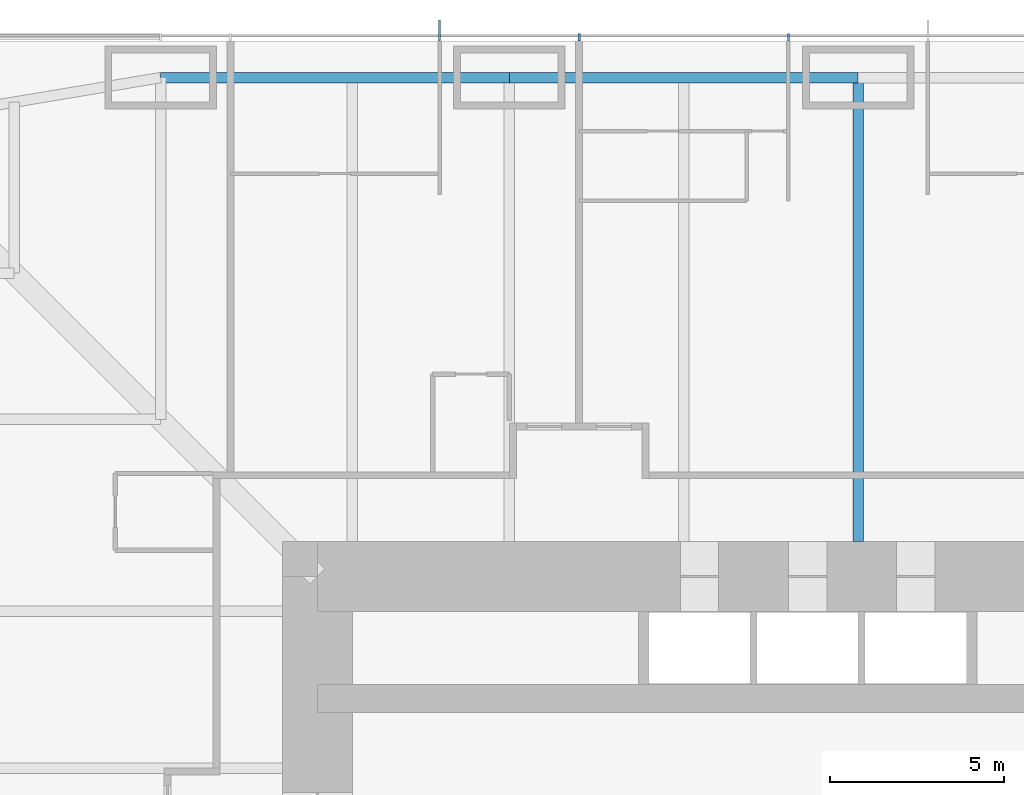
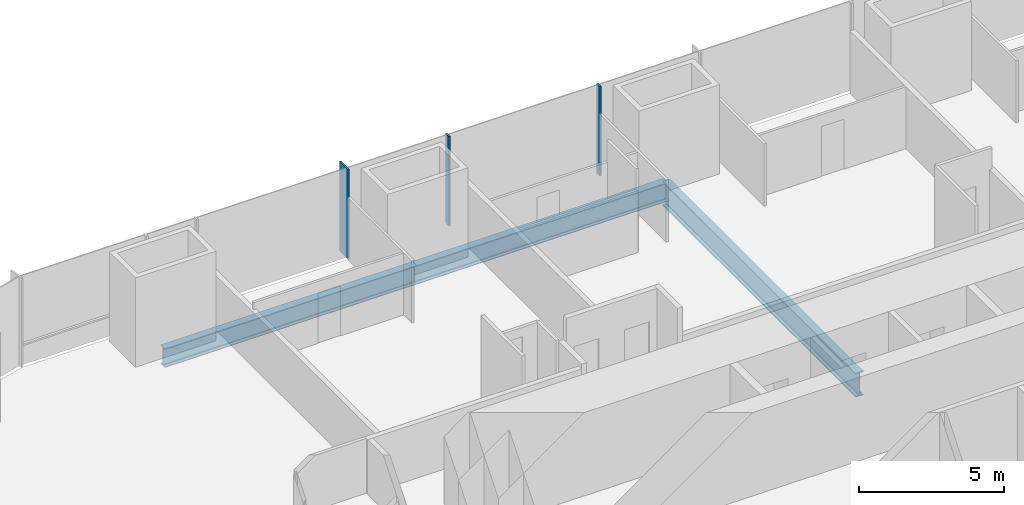
# One storey, part 7 of 17: 3 beams, 3 members, 1 element without a shape of its own.
"""IFC4 building model written with IfcOpenShell, lengths in metres."""

from ifc_helpers import new_model, si_unit, direction, frame, origin, origin_2d, place, context, subcontext, project, spatial, rectangle, i_section, extrude, material, material_profile, profile_set, type_object, element, aggregate, save


model = new_model("IFC4")

# Units and contexts
model_context = context("Model", 3, precision=1e-05, world=origin(), true_north=direction((0.0, 1.0)))
body_context = subcontext(model_context, "Body", "Model", "MODEL_VIEW")
ifc_project = project(units=[si_unit("LENGTHUNIT", "METRE"), si_unit("AREAUNIT", "SQUARE_METRE"), si_unit("VOLUMEUNIT", "CUBIC_METRE"), si_unit("PLANEANGLEUNIT", "RADIAN"), si_unit("MASSUNIT", "GRAM", prefix="KILO")], contexts=[model_context])

# Site, building, storey
site_placement = place(None, origin())
site = spatial("IfcSite", under=ifc_project, at=site_placement, CompositionType="ELEMENT")
building_placement = place(site_placement, origin())
building = spatial("IfcBuilding", under=site, at=building_placement, Name="Khuree Lantern Residences", CompositionType="ELEMENT")
storey_placement = place(building_placement, frame((0.0, 0.0, 92.25)))
storey = spatial("IfcBuildingStorey", under=building, at=storey_placement, Name="L23", CompositionType="ELEMENT", Elevation=92.25)

# Beams
ifc_material_1 = material(Name="Steel S355", Category="steel")
ifc_material_profile_1 = material_profile(ifc_material_1, i_section(OverallWidth=0.300048828125, OverallDepth=0.7900390625, WebThickness=0.014892578125, FlangeThickness=0.028076171875, FilletRadius=0.030029296875, at=origin_2d()), Name="HE 800 A")
ifc_profile_set_1 = profile_set([ifc_material_profile_1], Name="Steel S355")
beam_type_1 = type_object("IfcBeamType", Name="E-15 SPANDREL BEAM HE 800 A", PredefinedType="SPANDREL", material=ifc_profile_set_1)
for number, where, z_axis, x_axis, name in (
    (1, (-20.0, 29.800048828125, -0.64501953125), (1.0, 0.0, 0.0), (0.0, 1.0, 0.0), "Spandrel beam N1"),
    (2, (-10.0, 29.800048828125, -0.64501953125), (1.0, 0.0, 0.0), (0.0, 1.0, 0.0), "Spandrel beam N2"),
):
    element("IfcBeam", number, at=place(storey_placement, frame(where, z_axis=z_axis, x_axis=x_axis)), inside=storey, type_object=beam_type_1, Name=name, PredefinedType="SPANDREL", context=body_context, shape_type="SweptSolid", body=[
        extrude(i_section(OverallWidth=0.300048828125, OverallDepth=0.7900390625, WebThickness=0.014892578125, FlangeThickness=0.028076171875, FilletRadius=0.030029296875, at=origin_2d()), origin(), (0.0, 0.0, 1.0), 10.0),
    ])

# Curtain wall, member
ifc_material_2 = material(Name="Bronze anodised aluminium", Category="aluminium")
curtain_wall_type = type_object("IfcCurtainWallType", Name="CW-T1 TOWER FACE CURTAIN WALL", PredefinedType="USERDEFINED", material=ifc_material_2)
curtain_wall_placement = place(storey_placement, origin())
curtain_wall = element("IfcCurtainWall", 3, at=curtain_wall_placement, inside=storey, type_object=curtain_wall_type, Name="L23 NORTH FACE CURTAIN WALL", ObjectType="Stick-built curtain wall", PredefinedType="USERDEFINED")
ifc_material_profile_2 = material_profile(ifc_material_2, rectangle(XDim=0.06494140625, YDim=0.60009765625, at=origin_2d()), Name="F1 65X600")
ifc_profile_set_2 = profile_set([ifc_material_profile_2], Name="Bronze anodised aluminium")
member_type_1 = type_object("IfcMemberType", Name="F1 BRONZE FIN MULLION TOWER 65X600", PredefinedType="MULLION", material=ifc_profile_set_2)
member_1_placement = place(storey_placement, frame((-12.0, 31.14990234375, 0.0), z_axis=(0.0, 0.0, 1.0), x_axis=(-1.0, 0.0, 0.0)))
member_1 = element("IfcMember", 4, at=member_1_placement, type_object=member_type_1, Name="L23 NORTH FACE FIN MULLION 26", PredefinedType="MULLION", context=body_context, shape_type="SweptSolid", body=[
    extrude(rectangle(XDim=0.06494140625, YDim=0.60009765625, at=origin_2d()), origin(), (0.0, 0.0, 1.0), 3.75),
])

# Beam
ifc_material_profile_3 = material_profile(ifc_material_1, i_section(OverallWidth=0.302001953125, OverallDepth=1.008056640625, WebThickness=0.02099609375, FlangeThickness=0.0400390625, FilletRadius=0.030029296875, at=origin_2d()), Name="HE 1000 M")
ifc_profile_set_3 = profile_set([ifc_material_profile_3], Name="Steel S355")
beam_type_2 = type_object("IfcBeamType", Name="G-15 GIRDER HE 1000 M", PredefinedType="BEAM", material=ifc_profile_set_3)
beam_placement = place(storey_placement, frame((0.0, 29.800048828125, -0.75390625), z_axis=(0.0, -1.0, 0.0), x_axis=(1.0, 0.0, 0.0)))
element("IfcBeam", 5, at=beam_placement, inside=storey, type_object=beam_type_2, Name="Girder N3", PredefinedType="BEAM", context=body_context, shape_type="SweptSolid", body=[
    extrude(i_section(OverallWidth=0.302001953125, OverallDepth=1.008056640625, WebThickness=0.02099609375, FlangeThickness=0.0400390625, FilletRadius=0.030029296875, at=origin_2d()), origin(), (0.0, 0.0, 1.0), 13.300048828125),
])

# Member
ifc_material_profile_4 = material_profile(ifc_material_2, rectangle(XDim=0.06494140625, YDim=0.219970703125, at=origin_2d()), Name="M1 65X220")
ifc_profile_set_4 = profile_set([ifc_material_profile_4], Name="Bronze anodised aluminium")
member_type_2 = type_object("IfcMemberType", Name="M1 BRONZE MULLION TOWER 65X220", PredefinedType="MULLION", material=ifc_profile_set_4)
member_2_placement = place(storey_placement, frame((-2.0, 30.9599609375, 0.0), z_axis=(0.0, 0.0, 1.0), x_axis=(-1.0, 0.0, 0.0)))
member_2 = element("IfcMember", 6, at=member_2_placement, type_object=member_type_2, Name="L23 NORTH FACE MULLION 24", PredefinedType="MULLION", context=body_context, shape_type="SweptSolid", body=[
    extrude(rectangle(XDim=0.06494140625, YDim=0.219970703125, at=origin_2d()), origin(), (0.0, 0.0, 1.0), 3.75),
])

member_3_placement = place(storey_placement, frame((-8.0, 30.9599609375, 0.0), z_axis=(0.0, 0.0, 1.0), x_axis=(-1.0, 0.0, 0.0)))
member_3 = element("IfcMember", 7, at=member_3_placement, type_object=member_type_2, Name="L23 NORTH FACE MULLION 25", PredefinedType="MULLION", context=body_context, shape_type="SweptSolid", body=[
    extrude(rectangle(XDim=0.06494140625, YDim=0.219970703125, at=origin_2d()), origin(), (0.0, 0.0, 1.0), 3.75),
])

aggregate(curtain_wall, [member_2, member_3, member_1])

save(model, "model.ifc")
